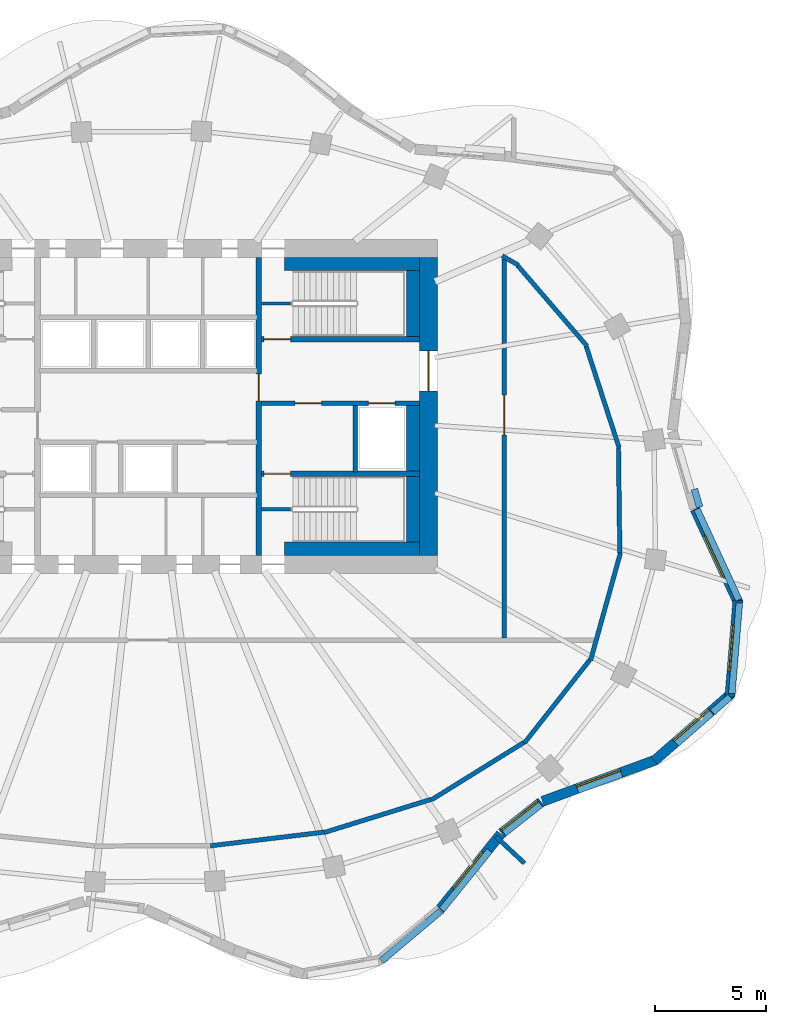
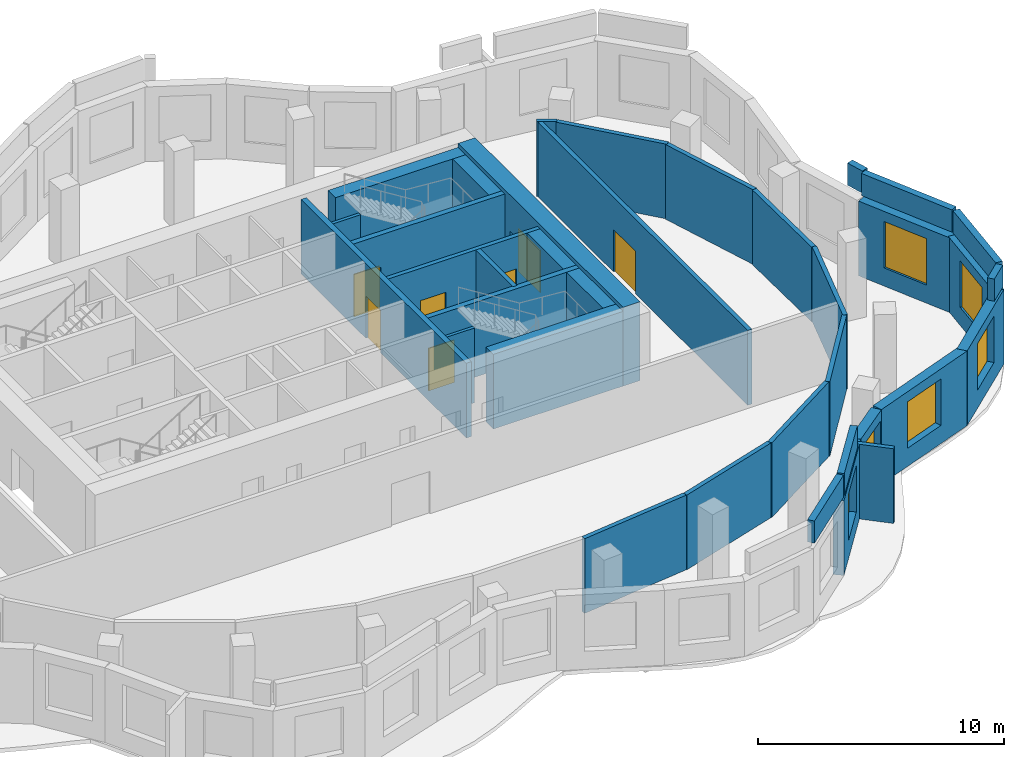
# One storey, part 5 of 8: 36 walls, 7 doors, 6 windows, 13 openings.
"""IFC4 building model written with IfcOpenShell, lengths in metres."""

import ifcopenshell
import ifcopenshell.guid

model = None  # the IFC model being written
_history = None  # IfcOwnerHistory: only IFC2X3 demands one
_inside = {}  # id of a spatial element -> (the spatial element, [elements in it])
_under = {}  # id of a project, library or spatial element -> (it, [spatial elements below it])
_declared = {}  # id of a project -> (the project, [libraries it declares])
_typed = {}  # id of a type object -> (the type object, [elements of that type])
_made_of = {}  # id of a material, layer set ... -> (it, [elements and type objects made of it])


def new_model(schema):
    """Start an empty IFC model of exactly this schema.

    Asked for "IFC4X3", IfcOpenShell would pick the latest addendum, in which some entities
    have other attributes; the version numbers below select the first issue.
    IFC2X3 requires an IfcOwnerHistory on every rooted entity: one is made here for all.
    """
    global model, _history
    if schema == "IFC4X3":
        model = ifcopenshell.file(schema_version=(4, 3, 0, 0))
    else:
        model = ifcopenshell.file(schema=schema)
    _inside.clear()
    _under.clear()
    _declared.clear()
    _typed.clear()
    _made_of.clear()
    _history = None
    if model.schema == "IFC2X3":
        org = make("IfcOrganization", Name="unknown")
        user = make(
            "IfcPersonAndOrganization",
            ThePerson=make("IfcPerson", FamilyName="unknown"),
            TheOrganization=org,
        )
        app = make(
            "IfcApplication",
            ApplicationDeveloper=org,
            Version="unknown",
            ApplicationFullName="unknown",
            ApplicationIdentifier="unknown",
        )
        _history = make(
            "IfcOwnerHistory",
            OwningUser=user,
            OwningApplication=app,
            ChangeAction="ADDED",
            CreationDate=0,
        )
    return model


def make(cls, **values):
    """One entity of the class cls with the attributes given. An attribute that is None is left unset."""
    return model.create_entity(
        cls, **{name: value for name, value in values.items() if value is not None}
    )


def rooted(cls, **values):
    """An entity with a GlobalId (a new one), such as an element, a storey or a relation."""
    return make(cls, GlobalId=ifcopenshell.guid.new(), OwnerHistory=_history, **values)


def si_unit(unit_type, name, prefix=None):
    """IfcSIUnit, for example si_unit("LENGTHUNIT", "METRE", prefix="MILLI")."""
    return make("IfcSIUnit", UnitType=unit_type, Prefix=prefix, Name=name)


def assignment(units):
    """IfcUnitAssignment: the units of a project."""
    return None if units is None else make("IfcUnitAssignment", Units=units)


def point(xyz):
    """IfcCartesianPoint."""
    return None if xyz is None else make("IfcCartesianPoint", Coordinates=xyz)


def direction(xyz):
    """IfcDirection."""
    return None if xyz is None else make("IfcDirection", DirectionRatios=xyz)


def frame(location, z_axis=None, x_axis=None):
    """IfcAxis2Placement3D, a coordinate frame: its origin and axes. An axis left out is left unset."""
    return make(
        "IfcAxis2Placement3D",
        Location=point(location),
        Axis=direction(z_axis),
        RefDirection=direction(x_axis),
    )


def frame_2d(location, x_axis=None):
    """IfcAxis2Placement2D, a coordinate frame in the plane: its origin and x axis."""
    return make(
        "IfcAxis2Placement2D", Location=point(location), RefDirection=direction(x_axis)
    )


def origin():
    """The frame at (0, 0, 0) with its axes left unset."""
    return frame((0.0, 0.0, 0.0))


def place(relative_to, where):
    """IfcLocalPlacement: puts the frame where relative to a parent placement (None: the world)."""
    return make(
        "IfcLocalPlacement", PlacementRelTo=relative_to, RelativePlacement=where
    )


def context(
    kind, dimensions, precision=None, world=None, true_north=None, identifier=None
):
    """IfcGeometricRepresentationContext, for example the 3D "Model" context."""
    return make(
        "IfcGeometricRepresentationContext",
        ContextIdentifier=identifier,
        ContextType=kind,
        CoordinateSpaceDimension=dimensions,
        Precision=precision,
        WorldCoordinateSystem=world,
        TrueNorth=true_north,
    )


def subcontext(parent, identifier, kind, view, scale=None):
    """IfcGeometricRepresentationSubContext, for example "Body" below "Model"."""
    return make(
        "IfcGeometricRepresentationSubContext",
        ContextIdentifier=identifier,
        ContextType=kind,
        ParentContext=parent,
        TargetScale=scale,
        TargetView=view,
    )


def project(units=None, contexts=None):
    """IfcProject with its units and contexts."""
    return rooted(
        "IfcProject",
        Name="project",
        RepresentationContexts=contexts,
        UnitsInContext=assignment(units),
    )


def spatial(cls, under=None, at=None, **own):
    """A site, building, storey or space (cls), placed at a placement, below another one or the project."""
    s = rooted(cls, ObjectPlacement=at, **own)
    if under is not None:
        _under.setdefault(under.id(), (under, []))[1].append(s)
    return s


def profile(cls, at=None, kind="AREA", **sizes):
    """A parametric profile (cls). Its sizes go by their IFC names, for example OverallWidth=200.0."""
    return make(cls, ProfileType=kind, Position=at, **sizes)


def rectangle(**sizes):
    """IfcRectangleProfileDef."""
    return profile("IfcRectangleProfileDef", **sizes)


def extrude(swept, where, along, depth):
    """IfcExtrudedAreaSolid: the profile swept, set in the frame where, extruded along a direction by depth."""
    return make(
        "IfcExtrudedAreaSolid",
        SweptArea=swept,
        Position=where,
        ExtrudedDirection=direction(along),
        Depth=depth,
    )


def shape(context_of_items, identifier, shape_type, items):
    """IfcShapeRepresentation: the items that make up one representation, for example the "Body"."""
    return make(
        "IfcShapeRepresentation",
        ContextOfItems=context_of_items,
        RepresentationIdentifier=identifier,
        RepresentationType=shape_type,
        Items=items,
    )


def material(Name=None, Category=None):
    """IfcMaterial."""
    return make("IfcMaterial", Name=Name, Category=Category)


def layer(
    of_material, thickness, ventilated=None, Name=None, Category=None, Priority=None
):
    """IfcMaterialLayer: one layer of a wall or slab, of a material (None: an air gap)."""
    return make(
        "IfcMaterialLayer",
        Material=of_material,
        LayerThickness=thickness,
        IsVentilated=ventilated,
        Name=Name,
        Category=Category,
        Priority=Priority,
    )


def layer_set(layers, Name=None):
    """IfcMaterialLayerSet."""
    return make("IfcMaterialLayerSet", MaterialLayers=layers, LayerSetName=Name)


def made_of(thing, what):
    """Note that an element or type object is made of a material, layer set ...; save() writes the relation."""
    if what is not None:
        _made_of.setdefault(what.id(), (what, []))[1].append(thing)
    return thing


def type_object(cls, material=None, **own):
    """A type object (cls), such as IfcWallType, which elements share."""
    return made_of(rooted(cls, **own), material)


def element(
    cls,
    number,
    at=None,
    inside=None,
    cuts=None,
    type_object=None,
    material=None,
    context=None,
    identifier="Body",
    shape_type=None,
    held_by="IfcProductDefinitionShape",
    body=None,
    shapes=None,
    **own,
):
    """One element of the class cls, such as IfcWall. Its Tag is "e" and its number.

    at: its placement. inside: the storey or other place that contains it. cuts: it is an
    opening in that element (IfcRelVoidsElement). A single representation is given by context,
    identifier, shape_type and body (its items); several are given by shapes. held_by: the class
    of the entity that holds the representations. save() writes the other relations.
    """
    e = rooted(cls, Tag="e%d" % number, ObjectPlacement=at, **own)
    if body is not None:
        shapes = [shape(context, identifier, shape_type, body)]
    if shapes is not None:
        e.Representation = make(held_by, Representations=shapes)
    if inside is not None:
        _inside.setdefault(inside.id(), (inside, []))[1].append(e)
    if cuts is not None:
        rooted(
            "IfcRelVoidsElement", RelatingBuildingElement=cuts, RelatedOpeningElement=e
        )
    if type_object is not None:
        _typed.setdefault(type_object.id(), (type_object, []))[1].append(e)
    return made_of(e, material)


def fill(opening, filler):
    """IfcRelFillsElement: the door or window that sits in an opening."""
    return rooted(
        "IfcRelFillsElement",
        RelatingOpeningElement=opening,
        RelatedBuildingElement=filler,
    )


def aggregate(whole, parts):
    """IfcRelAggregates: a whole, such as a stair, and the parts it consists of."""
    return rooted("IfcRelAggregates", RelatingObject=whole, RelatedObjects=parts)


def save(model, path):
    """Write the relations noted so far, then the file.

    IfcRelAggregates (storeys below a building ...), IfcRelContainedInSpatialStructure (elements
    in a storey), IfcRelDefinesByType, IfcRelAssociatesMaterial and IfcRelDeclares: one each for
    every whole, place, type object, material and project.
    """
    for whole, parts in _under.values():
        aggregate(whole, parts)
    for where, things in _inside.values():
        rooted(
            "IfcRelContainedInSpatialStructure",
            RelatedElements=things,
            RelatingStructure=where,
        )
    for kind, things in _typed.values():
        rooted("IfcRelDefinesByType", RelatedObjects=things, RelatingType=kind)
    for what, things in _made_of.values():
        rooted("IfcRelAssociatesMaterial", RelatedObjects=things, RelatingMaterial=what)
    for by, libraries in _declared.values():
        rooted("IfcRelDeclares", RelatingContext=by, RelatedDefinitions=libraries)
    model.write(path)


model = new_model("IFC4")

# Units and contexts
model_context = context("Model", 3, precision=1e-05, world=origin(), true_north=direction((0.0, 1.0)))
body_context = subcontext(model_context, "Body", "Model", "MODEL_VIEW")
ifc_project = project(units=[si_unit("LENGTHUNIT", "METRE"), si_unit("AREAUNIT", "SQUARE_METRE"), si_unit("VOLUMEUNIT", "CUBIC_METRE"), si_unit("PLANEANGLEUNIT", "RADIAN"), si_unit("MASSUNIT", "GRAM", prefix="KILO")], contexts=[model_context])

# Site, building, storey
site_placement = place(None, origin())
site = spatial("IfcSite", under=ifc_project, at=site_placement, CompositionType="ELEMENT")
building_placement = place(site_placement, origin())
building = spatial("IfcBuilding", under=site, at=building_placement, Name="Rubra Terraces Tower", CompositionType="ELEMENT")
storey_placement = place(building_placement, frame((0.0, 0.0, 280.5)))
storey = spatial("IfcBuildingStorey", under=building, at=storey_placement, Name="L69", CompositionType="ELEMENT", Elevation=280.5)

# Wall, opening, window
ifc_material_1 = material(Name="Brick masonry red-brown", Category="masonry")
ifc_layer_1 = layer(ifc_material_1, 0.449951171875)
ifc_layer_set_1 = layer_set([ifc_layer_1], Name="Brick masonry red-brown")
wall_type_1 = type_object("IfcWallType", Name="Brick facade wall 450", PredefinedType="SOLIDWALL", material=ifc_layer_set_1)
wall_1_placement = place(storey_placement, frame((13.0849609375, -18.140380859375, 0.0), z_axis=(0.0, 0.0, 1.0), x_axis=(0.628273836344, 0.777992279245, 0.0)))
wall_1 = element("IfcWall", 1, at=wall_1_placement, inside=storey, type_object=wall_type_1, Name="Facade wall L69 bay 35", PredefinedType="SOLIDWALL", context=body_context, shape_type="SweptSolid", body=[
    extrude(rectangle(XDim=4.401123046875, YDim=0.449951171875, at=frame_2d((2.20068359375, 0.0))), origin(), (0.0, 0.0, 1.0), 3.699951171875),
])
opening_1_placement = place(wall_1_placement, frame((1.150634765625, 0.0, 0.89990234375)))
opening_1 = element("IfcOpeningElement", 2, at=opening_1_placement, cuts=wall_1, Name="Opening W1B", PredefinedType="OPENING", context=body_context, shape_type="SweptSolid", body=[
    extrude(rectangle(XDim=2.10009765625, YDim=2.300048828125, at=frame_2d((1.050048828125, 1.14990234375))), frame((0.0, 0.23486328125, 0.0), z_axis=(0.0, -1.0, 0.0), x_axis=(1.0, 0.0, 0.0)), (0.0, 0.0, 1.0), 0.469970703125),
])
ifc_material_2 = material(Name="Clear glass in aluminium frame", Category="aluminium")
window_type = type_object("IfcWindowType", Name="Fixed deep-set window tall storey 2100 x 2300", PartitioningType="SINGLE_PANEL", PredefinedType="WINDOW", material=ifc_material_2)
window_1_placement = place(opening_1_placement, origin())
window_1 = element("IfcWindow", 3, at=window_1_placement, inside=storey, type_object=window_type, Name="Window L69 bay 35", OverallHeight=2.300048828125, OverallWidth=2.10009765625, PartitioningType="SINGLE_PANEL", PredefinedType="WINDOW", context=body_context, shape_type="SweptSolid", body=[
    extrude(rectangle(XDim=2.10009765625, YDim=2.300048828125, at=frame_2d((1.050048828125, 1.14990234375))), frame((0.0, 0.135009765625, 0.0), z_axis=(0.0, -1.0, 0.0), x_axis=(1.0, 0.0, 0.0)), (0.0, 0.0, 1.0), 0.06005859375),
])
fill(opening_1, window_1)

wall_2_placement = place(storey_placement, frame((15.885986328125, -14.680908203125, 0.0), z_axis=(0.0, 0.0, 1.0), x_axis=(0.78545189886, 0.618922704849, 0.0)))
wall_2 = element("IfcWall", 4, at=wall_2_placement, inside=storey, type_object=wall_type_1, Name="Facade wall L69 bay 36", PredefinedType="SOLIDWALL", context=body_context, shape_type="SweptSolid", body=[
    extrude(rectangle(XDim=2.2607421875, YDim=0.449951171875, at=frame_2d((1.13037109375, 0.0))), origin(), (0.0, 0.0, 1.0), 3.699951171875),
])
opening_2_placement = place(wall_2_placement, frame((0.080322265625, 0.0, 0.89990234375)))
opening_2 = element("IfcOpeningElement", 5, at=opening_2_placement, cuts=wall_2, Name="Opening W1B", PredefinedType="OPENING", context=body_context, shape_type="SweptSolid", body=[
    extrude(rectangle(XDim=2.10009765625, YDim=2.300048828125, at=frame_2d((1.050048828125, 1.14990234375))), frame((0.0, 0.23486328125, 0.0), z_axis=(0.0, -1.0, 0.0), x_axis=(1.0, 0.0, 0.0)), (0.0, 0.0, 1.0), 0.469970703125),
])
window_2_placement = place(opening_2_placement, origin())
window_2 = element("IfcWindow", 6, at=window_2_placement, inside=storey, type_object=window_type, Name="Window L69 bay 36", OverallHeight=2.300048828125, OverallWidth=2.10009765625, PartitioningType="SINGLE_PANEL", PredefinedType="WINDOW", context=body_context, shape_type="SweptSolid", body=[
    extrude(rectangle(XDim=2.10009765625, YDim=2.300048828125, at=frame_2d((1.050048828125, 1.14990234375))), frame((0.0, 0.135009765625, 0.0), z_axis=(0.0, -1.0, 0.0), x_axis=(1.0, 0.0, 0.0)), (0.0, 0.0, 1.0), 0.06005859375),
])
fill(opening_2, window_2)

wall_3_placement = place(storey_placement, frame((17.7236328125, -13.247314453125, 0.0), z_axis=(0.0, 0.0, 1.0), x_axis=(0.939241771593, 0.343256310203, 0.0)))
wall_3 = element("IfcWall", 7, at=wall_3_placement, inside=storey, type_object=wall_type_1, Name="Facade wall L69 bay 37", PredefinedType="SOLIDWALL", context=body_context, shape_type="SweptSolid", body=[
    extrude(rectangle(XDim=5.426025390625, YDim=0.449951171875, at=frame_2d((2.712890625, 0.0))), origin(), (0.0, 0.0, 1.0), 3.699951171875),
])
opening_3_placement = place(wall_3_placement, frame((1.6630859375, 0.0, 0.89990234375)))
opening_3 = element("IfcOpeningElement", 8, at=opening_3_placement, cuts=wall_3, Name="Opening W1B", PredefinedType="OPENING", context=body_context, shape_type="SweptSolid", body=[
    extrude(rectangle(XDim=2.10009765625, YDim=2.300048828125, at=frame_2d((1.050048828125, 1.14990234375))), frame((0.0, 0.23486328125, 0.0), z_axis=(0.0, -1.0, 0.0), x_axis=(1.0, 0.0, 0.0)), (0.0, 0.0, 1.0), 0.469970703125),
])
window_3_placement = place(opening_3_placement, origin())
window_3 = element("IfcWindow", 9, at=window_3_placement, inside=storey, type_object=window_type, Name="Window L69 bay 37", OverallHeight=2.300048828125, OverallWidth=2.10009765625, PartitioningType="SINGLE_PANEL", PredefinedType="WINDOW", context=body_context, shape_type="SweptSolid", body=[
    extrude(rectangle(XDim=2.10009765625, YDim=2.300048828125, at=frame_2d((1.050048828125, 1.14990234375))), frame((0.0, 0.135009765625, 0.0), z_axis=(0.0, -1.0, 0.0), x_axis=(1.0, 0.0, 0.0)), (0.0, 0.0, 1.0), 0.06005859375),
])
fill(opening_3, window_3)

wall_4_placement = place(storey_placement, frame((22.74951171875, -11.4267578125, 0.0), z_axis=(0.0, 0.0, 1.0), x_axis=(0.753367370231, 0.657599882506, 0.0)))
wall_4 = element("IfcWall", 10, at=wall_4_placement, inside=storey, type_object=wall_type_1, Name="Facade wall L69 bay 38", PredefinedType="SOLIDWALL", context=body_context, shape_type="SweptSolid", body=[
    extrude(rectangle(XDim=4.606689453125, YDim=0.449951171875, at=frame_2d((2.30322265625, 0.0))), origin(), (0.0, 0.0, 1.0), 3.699951171875),
])
opening_4_placement = place(wall_4_placement, frame((1.25341796875, 0.0, 0.89990234375)))
opening_4 = element("IfcOpeningElement", 11, at=opening_4_placement, cuts=wall_4, Name="Opening W1B", PredefinedType="OPENING", context=body_context, shape_type="SweptSolid", body=[
    extrude(rectangle(XDim=2.10009765625, YDim=2.300048828125, at=frame_2d((1.050048828125, 1.14990234375))), frame((0.0, 0.23486328125, 0.0), z_axis=(0.0, -1.0, 0.0), x_axis=(1.0, 0.0, 0.0)), (0.0, 0.0, 1.0), 0.469970703125),
])
window_4_placement = place(opening_4_placement, origin())
window_4 = element("IfcWindow", 12, at=window_4_placement, inside=storey, type_object=window_type, Name="Window L69 bay 38", OverallHeight=2.300048828125, OverallWidth=2.10009765625, PartitioningType="SINGLE_PANEL", PredefinedType="WINDOW", context=body_context, shape_type="SweptSolid", body=[
    extrude(rectangle(XDim=2.10009765625, YDim=2.300048828125, at=frame_2d((1.050048828125, 1.14990234375))), frame((0.0, 0.135009765625, 0.0), z_axis=(0.0, -1.0, 0.0), x_axis=(1.0, 0.0, 0.0)), (0.0, 0.0, 1.0), 0.06005859375),
])
fill(opening_4, window_4)

wall_5_placement = place(storey_placement, frame((26.143798828125, -8.54833984375, 0.0), z_axis=(0.0, 0.0, 1.0), x_axis=(0.083268523648, 0.996527146128, 0.0)))
wall_5 = element("IfcWall", 13, at=wall_5_placement, inside=storey, type_object=wall_type_1, Name="Facade wall L69 bay 39", PredefinedType="SOLIDWALL", context=body_context, shape_type="SweptSolid", body=[
    extrude(rectangle(XDim=4.34814453125, YDim=0.449951171875, at=frame_2d((2.174072265625, 0.0))), origin(), (0.0, 0.0, 1.0), 3.699951171875),
])
opening_5_placement = place(wall_5_placement, frame((1.1240234375, 0.0, 0.89990234375)))
opening_5 = element("IfcOpeningElement", 14, at=opening_5_placement, cuts=wall_5, Name="Opening W1B", PredefinedType="OPENING", context=body_context, shape_type="SweptSolid", body=[
    extrude(rectangle(XDim=2.10009765625, YDim=2.300048828125, at=frame_2d((1.050048828125, 1.14990234375))), frame((0.0, 0.23486328125, 0.0), z_axis=(0.0, -1.0, 0.0), x_axis=(1.0, 0.0, 0.0)), (0.0, 0.0, 1.0), 0.469970703125),
])
window_5_placement = place(opening_5_placement, origin())
window_5 = element("IfcWindow", 15, at=window_5_placement, inside=storey, type_object=window_type, Name="Window L69 bay 39", OverallHeight=2.300048828125, OverallWidth=2.10009765625, PartitioningType="SINGLE_PANEL", PredefinedType="WINDOW", context=body_context, shape_type="SweptSolid", body=[
    extrude(rectangle(XDim=2.10009765625, YDim=2.300048828125, at=frame_2d((1.050048828125, 1.14990234375))), frame((0.0, 0.135009765625, 0.0), z_axis=(0.0, -1.0, 0.0), x_axis=(1.0, 0.0, 0.0)), (0.0, 0.0, 1.0), 0.06005859375),
])
fill(opening_5, window_5)

wall_6_placement = place(storey_placement, frame((26.523681640625, -4.323974609375, 0.0), z_axis=(0.0, 0.0, 1.0), x_axis=(-0.419579037504, 0.907718806287, 0.0)))
wall_6 = element("IfcWall", 16, at=wall_6_placement, inside=storey, type_object=wall_type_1, Name="Facade wall L69 bay 40", PredefinedType="SOLIDWALL", context=body_context, shape_type="SweptSolid", body=[
    extrude(rectangle(XDim=4.63623046875, YDim=0.449951171875, at=frame_2d((2.318115234375, 0.0))), origin(), (0.0, 0.0, 1.0), 3.699951171875),
])
opening_6_placement = place(wall_6_placement, frame((1.26806640625, 0.0, 0.89990234375)))
opening_6 = element("IfcOpeningElement", 17, at=opening_6_placement, cuts=wall_6, Name="Opening W1B", PredefinedType="OPENING", context=body_context, shape_type="SweptSolid", body=[
    extrude(rectangle(XDim=2.10009765625, YDim=2.300048828125, at=frame_2d((1.050048828125, 1.14990234375))), frame((0.0, 0.23486328125, 0.0), z_axis=(0.0, -1.0, 0.0), x_axis=(1.0, 0.0, 0.0)), (0.0, 0.0, 1.0), 0.469970703125),
])
window_6_placement = place(opening_6_placement, origin())
window_6 = element("IfcWindow", 18, at=window_6_placement, inside=storey, type_object=window_type, Name="Window L69 bay 40", OverallHeight=2.300048828125, OverallWidth=2.10009765625, PartitioningType="SINGLE_PANEL", PredefinedType="WINDOW", context=body_context, shape_type="SweptSolid", body=[
    extrude(rectangle(XDim=2.10009765625, YDim=2.300048828125, at=frame_2d((1.050048828125, 1.14990234375))), frame((0.0, 0.135009765625, 0.0), z_axis=(0.0, -1.0, 0.0), x_axis=(1.0, 0.0, 0.0)), (0.0, 0.0, 1.0), 0.06005859375),
])
fill(opening_6, window_6)

# Walls
ifc_layer_2 = layer(ifc_material_1, 0.300048828125)
ifc_layer_set_2 = layer_set([ifc_layer_2], Name="Brick masonry red-brown")
wall_type_2 = type_object("IfcWallType", Name="Brick parapet 300", PredefinedType="PARAPET", material=ifc_layer_set_2)
wall_7_placement = place(storey_placement, frame((24.78466796875, -0.025634765625, 3.89990234375), z_axis=(0.0, 0.0, 1.0), x_axis=(-0.279261128564, 0.96021519571, 0.0)))
element("IfcWall", 19, at=wall_7_placement, inside=storey, type_object=wall_type_2, Name="Parapet L69 bay 1", PredefinedType="PARAPET", context=body_context, shape_type="SweptSolid", body=[
    extrude(rectangle(XDim=0.83740234375, YDim=0.300048828125, at=frame_2d((0.418701171875, 0.0))), origin(), (0.0, 0.0, 1.0), 1.10009765625),
])
wall_8_placement = place(storey_placement, frame((10.486083984375, -20.4169921875, 3.89990234375), z_axis=(0.0, 0.0, 1.0), x_axis=(0.765557356731, 0.64336765038, 0.0)))
element("IfcWall", 20, at=wall_8_placement, inside=storey, type_object=wall_type_2, Name="Parapet L69 bay 34", PredefinedType="PARAPET", context=body_context, shape_type="SweptSolid", body=[
    extrude(rectangle(XDim=3.45654296875, YDim=0.300048828125, at=frame_2d((1.728271484375, 0.0))), origin(), (0.0, 0.0, 1.0), 1.10009765625),
])
wall_9_placement = place(storey_placement, frame((13.1943359375, -18.1298828125, 3.89990234375), z_axis=(0.0, 0.0, 1.0), x_axis=(0.628264043073, 0.778000187777, 0.0)))
element("IfcWall", 21, at=wall_9_placement, inside=storey, type_object=wall_type_2, Name="Parapet L69 bay 35", PredefinedType="PARAPET", context=body_context, shape_type="SweptSolid", body=[
    extrude(rectangle(XDim=3.42236328125, YDim=0.300048828125, at=frame_2d((1.711181640625, 0.0))), origin(), (0.0, 0.0, 1.0), 1.10009765625),
])
wall_10_placement = place(storey_placement, frame((25.3623046875, -9.24560546875, 3.89990234375), z_axis=(0.0, 0.0, 1.0), x_axis=(0.753495699064, 0.657452835945, 0.0)))
element("IfcWall", 22, at=wall_10_placement, inside=storey, type_object=wall_type_2, Name="Parapet L69 bay 38", PredefinedType="PARAPET", context=body_context, shape_type="SweptSolid", body=[
    extrude(rectangle(XDim=1.052490234375, YDim=0.300048828125, at=frame_2d((0.5263671875, 0.0))), origin(), (0.0, 0.0, 1.0), 1.10009765625),
])
wall_11_placement = place(storey_placement, frame((26.231201171875, -8.403564453125, 3.89990234375), z_axis=(0.0, 0.0, 1.0), x_axis=(0.083203659887, 0.996532563934, 0.0)))
element("IfcWall", 23, at=wall_11_placement, inside=storey, type_object=wall_type_2, Name="Parapet L69 bay 39", PredefinedType="PARAPET", context=body_context, shape_type="SweptSolid", body=[
    extrude(rectangle(XDim=4.08740234375, YDim=0.300048828125, at=frame_2d((2.043701171875, 0.0))), origin(), (0.0, 0.0, 1.0), 1.10009765625),
])
wall_12_placement = place(storey_placement, frame((26.548095703125, -4.19775390625, 3.89990234375), z_axis=(0.0, 0.0, 1.0), x_axis=(-0.419598608408, 0.907709759682, 0.0)))
element("IfcWall", 24, at=wall_12_placement, inside=storey, type_object=wall_type_2, Name="Parapet L69 bay 40", PredefinedType="PARAPET", context=body_context, shape_type="SweptSolid", body=[
    extrude(rectangle(XDim=4.4970703125, YDim=0.300048828125, at=frame_2d((2.24853515625, 0.0))), origin(), (0.0, 0.0, 1.0), 1.10009765625),
])
ifc_layer_3 = layer(ifc_material_1, 0.199951171875)
ifc_layer_set_3 = layer_set([ifc_layer_3], Name="Brick masonry red-brown")
wall_type_3 = type_object("IfcWallType", Name="Brick wind fin 200", PredefinedType="SOLIDWALL", material=ifc_layer_set_3)
wall_13_placement = place(storey_placement, frame((15.632080078125, -14.837890625, 0.0), z_axis=(0.0, 0.0, 1.0), x_axis=(0.73177399504, -0.681547371929, 0.0)))
element("IfcWall", 25, at=wall_13_placement, inside=storey, type_object=wall_type_3, Name="Wind fin L69 18", PredefinedType="SOLIDWALL", context=body_context, shape_type="SweptSolid", body=[
    extrude(rectangle(XDim=1.75, YDim=0.199951171875, at=frame_2d((0.875, 0.0))), origin(), (0.0, 0.0, 1.0), 3.699951171875),
])

# Wall, opening, door
ifc_material_3 = material(Name="Concrete C50", Category="concrete")
ifc_layer_4 = layer(ifc_material_3, 0.800048828125)
ifc_layer_set_4 = layer_set([ifc_layer_4], Name="Concrete C50")
wall_type_4 = type_object("IfcWallType", Name="CORE WALL 800 C50", PredefinedType="SHEAR", material=ifc_layer_set_4)
wall_14_placement = place(storey_placement, frame((12.60009765625, -2.199951171875, 0.0), z_axis=(0.0, 0.0, 1.0), x_axis=(0.0, 1.0, 0.0)))
wall_14 = element("IfcWall", 26, at=wall_14_placement, inside=storey, type_object=wall_type_4, Name="CORE WALL E L69", PredefinedType="SHEAR", context=body_context, shape_type="SweptSolid", body=[
    extrude(rectangle(XDim=13.39990234375, YDim=0.800048828125, at=frame_2d((6.699951171875, 0.0))), origin(), (0.0, 0.0, 1.0), 3.89990234375),
])
opening_7_placement = place(wall_14_placement, frame((7.39990234375, 0.0, 0.0)))
opening_7 = element("IfcOpeningElement", 27, at=opening_7_placement, cuts=wall_14, Name="Opening L69.C02", PredefinedType="OPENING", context=body_context, shape_type="SweptSolid", body=[
    extrude(rectangle(XDim=1.800048828125, YDim=2.10009765625, at=frame_2d((0.89990234375, 1.050048828125))), frame((0.0, 0.409912109375, 0.0), z_axis=(0.0, -1.0, 0.0), x_axis=(1.0, 0.0, 0.0)), (0.0, 0.0, 1.0), 0.820068359375),
])
ifc_material_4 = material(Name="Painted steel", Category="steel")
door_type_1 = type_object("IfcDoorType", Name="Fire door 1800x2100 double", OperationType="NOTDEFINED", PredefinedType="DOOR", material=ifc_material_4)
door_1_placement = place(opening_7_placement, origin())
door_1 = element("IfcDoor", 28, at=door_1_placement, inside=storey, type_object=door_type_1, Name="Core entrance door FF2", OperationType="DOUBLE_DOOR_SINGLE_SWING", OverallHeight=2.10009765625, OverallWidth=1.800048828125, PredefinedType="DOOR", context=body_context, shape_type="SweptSolid", body=[
    extrude(rectangle(XDim=1.800048828125, YDim=2.10009765625, at=frame_2d((0.89990234375, 1.050048828125))), frame((0.0, 0.02490234375, 0.0), z_axis=(0.0, -1.0, 0.0), x_axis=(1.0, 0.0, 0.0)), (0.0, 0.0, 1.0), 0.050048828125),
])
fill(opening_7, door_1)

# Walls
ifc_material_5 = material(Name="Concrete C40", Category="concrete")
ifc_layer_5 = layer(ifc_material_5, 0.60009765625)
ifc_layer_set_5 = layer_set([ifc_layer_5], Name="Concrete C40")
wall_type_5 = type_object("IfcWallType", Name="Core lining wall 600 concrete", PredefinedType="SOLIDWALL", material=ifc_layer_set_5)
wall_15_placement = place(storey_placement, frame((12.199951171875, 10.89990234375, 0.0), z_axis=(0.0, 0.0, 1.0), x_axis=(-1.0, 0.0, 0.0)))
element("IfcWall", 29, at=wall_15_placement, inside=storey, type_object=wall_type_5, Name="CORE LINING WALL L69", PredefinedType="SOLIDWALL", context=body_context, shape_type="SweptSolid", body=[
    extrude(rectangle(XDim=6.079833984375, YDim=0.60009765625, at=frame_2d((3.0400390625, 0.0))), origin(), (0.0, 0.0, 1.0), 3.699951171875),
])
wall_16_placement = place(storey_placement, frame((11.89990234375, 10.60009765625, 0.0), z_axis=(0.0, 0.0, 1.0), x_axis=(0.0, -1.0, 0.0)))
element("IfcWall", 30, at=wall_16_placement, inside=storey, type_object=wall_type_5, Name="CORE LINING WALL L69", PredefinedType="SOLIDWALL", context=body_context, shape_type="SweptSolid", body=[
    extrude(rectangle(XDim=2.9501953125, YDim=0.60009765625, at=frame_2d((1.47509765625, 0.0))), origin(), (0.0, 0.0, 1.0), 3.699951171875),
])
wall_17_placement = place(storey_placement, frame((11.89990234375, 4.550048828125, 0.0), z_axis=(0.0, 0.0, 1.0), x_axis=(0.0, -1.0, 0.0)))
element("IfcWall", 31, at=wall_17_placement, inside=storey, type_object=wall_type_5, Name="CORE LINING WALL L69", PredefinedType="SOLIDWALL", context=body_context, shape_type="SweptSolid", body=[
    extrude(rectangle(XDim=3.0, YDim=0.60009765625, at=frame_2d((1.5, 0.0))), origin(), (0.0, 0.0, 1.0), 3.699951171875),
])
wall_18_placement = place(storey_placement, frame((11.89990234375, 1.35009765625, 0.0), z_axis=(0.0, 0.0, 1.0), x_axis=(0.0, -1.0, 0.0)))
element("IfcWall", 32, at=wall_18_placement, inside=storey, type_object=wall_type_5, Name="CORE LINING WALL L69", PredefinedType="SOLIDWALL", context=body_context, shape_type="SweptSolid", body=[
    extrude(rectangle(XDim=2.9501953125, YDim=0.60009765625, at=frame_2d((1.47509765625, 0.0))), origin(), (0.0, 0.0, 1.0), 3.699951171875),
])
wall_19_placement = place(storey_placement, frame((12.199951171875, -1.89990234375, 0.0), z_axis=(0.0, 0.0, 1.0), x_axis=(-1.0, 0.0, 0.0)))
element("IfcWall", 33, at=wall_19_placement, inside=storey, type_object=wall_type_5, Name="CORE LINING WALL L69", PredefinedType="SOLIDWALL", context=body_context, shape_type="SweptSolid", body=[
    extrude(rectangle(XDim=6.079833984375, YDim=0.60009765625, at=frame_2d((3.0400390625, 0.0))), origin(), (0.0, 0.0, 1.0), 3.699951171875),
])

# Wall, openings, doors
ifc_material_6 = material(Name="Concrete C30", Category="concrete")
ifc_layer_6 = layer(ifc_material_6, 0.199951171875)
ifc_layer_set_6 = layer_set([ifc_layer_6], Name="Concrete C30")
wall_type_6 = type_object("IfcWallType", Name="Core wall 200 concrete", PredefinedType="SOLIDWALL", material=ifc_layer_set_6)
wall_20_placement = place(storey_placement, frame((12.199951171875, 4.64990234375, 0.0), z_axis=(0.0, 0.0, 1.0), x_axis=(-1.0, 0.0, 0.0)))
wall_20 = element("IfcWall", 34, at=wall_20_placement, inside=storey, type_object=wall_type_6, Name="STAIR WALL L69", PredefinedType="SOLIDWALL", context=body_context, shape_type="SweptSolid", body=[
    extrude(rectangle(XDim=7.099853515625, YDim=0.199951171875, at=frame_2d((3.5498046875, 0.0))), origin(), (0.0, 0.0, 1.0), 3.699951171875),
])
opening_8_placement = place(wall_20_placement, frame((4.39990234375, 0.0, 0.0)))
opening_8 = element("IfcOpeningElement", 35, at=opening_8_placement, cuts=wall_20, Name="Opening L69.C06", PredefinedType="OPENING", context=body_context, shape_type="SweptSolid", body=[
    extrude(rectangle(XDim=1.199951171875, YDim=2.10009765625, at=frame_2d((0.60009765625, 1.050048828125))), frame((0.0, 0.10986328125, 0.0), z_axis=(0.0, -1.0, 0.0), x_axis=(1.0, 0.0, 0.0)), (0.0, 0.0, 1.0), 0.219970703125),
])
opening_9_placement = place(wall_20_placement, frame((1.10009765625, 0.0, 0.0)))
opening_9 = element("IfcOpeningElement", 36, at=opening_9_placement, cuts=wall_20, Name="Opening L69.C12", PredefinedType="OPENING", context=body_context, shape_type="SweptSolid", body=[
    extrude(rectangle(XDim=1.199951171875, YDim=2.10009765625, at=frame_2d((0.60009765625, 1.050048828125))), frame((0.0, 0.10986328125, 0.0), z_axis=(0.0, -1.0, 0.0), x_axis=(1.0, 0.0, 0.0)), (0.0, 0.0, 1.0), 0.219970703125),
])
door_type_2 = type_object("IfcDoorType", Name="Fire door 1200x2100 single", OperationType="NOTDEFINED", PredefinedType="DOOR", material=ifc_material_4)
door_2_placement = place(opening_8_placement, origin())
door_2 = element("IfcDoor", 37, at=door_2_placement, inside=storey, type_object=door_type_2, Name="Stair vestibule door S4", OperationType="SINGLE_SWING_RIGHT", OverallHeight=2.10009765625, OverallWidth=1.199951171875, PredefinedType="DOOR", context=body_context, shape_type="SweptSolid", body=[
    extrude(rectangle(XDim=1.199951171875, YDim=2.10009765625, at=frame_2d((0.60009765625, 1.050048828125))), frame((0.0, 0.02490234375, 0.0), z_axis=(0.0, -1.0, 0.0), x_axis=(1.0, 0.0, 0.0)), (0.0, 0.0, 1.0), 0.050048828125),
])
fill(opening_8, door_2)
ifc_material_7 = material(Name="Stainless steel", Category="steel")
door_type_3 = type_object("IfcDoorType", Name="Lift landing door 1200x2100", OperationType="NOTDEFINED", PredefinedType="DOOR", material=ifc_material_7)
door_3_placement = place(opening_9_placement, origin())
door_3 = element("IfcDoor", 38, at=door_3_placement, inside=storey, type_object=door_type_3, Name="Landing door FF2", OperationType="SLIDING_TO_RIGHT", OverallHeight=2.10009765625, OverallWidth=1.199951171875, PredefinedType="DOOR", context=body_context, shape_type="SweptSolid", body=[
    extrude(rectangle(XDim=1.199951171875, YDim=2.10009765625, at=frame_2d((0.60009765625, 1.050048828125))), frame((0.0, 0.02490234375, 0.0), z_axis=(0.0, -1.0, 0.0), x_axis=(1.0, 0.0, 0.0)), (0.0, 0.0, 1.0), 0.050048828125),
])
fill(opening_9, door_3)

# Walls
wall_21_placement = place(storey_placement, frame((9.300048828125, 4.550048828125, 0.0), z_axis=(0.0, 0.0, 1.0), x_axis=(0.0, -1.0, 0.0)))
element("IfcWall", 39, at=wall_21_placement, inside=storey, type_object=wall_type_6, Name="STAIR WALL L69", PredefinedType="SOLIDWALL", context=body_context, shape_type="SweptSolid", body=[
    extrude(rectangle(XDim=3.0, YDim=0.199951171875, at=frame_2d((1.5, 0.0))), origin(), (0.0, 0.0, 1.0), 3.699951171875),
])
ifc_material_8 = material(Name="Blockwork", Category="masonry")
ifc_layer_7 = layer(ifc_material_8, 0.199951171875)
ifc_layer_set_7 = layer_set([ifc_layer_7], Name="Blockwork")
wall_type_7 = type_object("IfcWallType", Name="Corridor partition 200 blockwork", PredefinedType="PARTITIONING", material=ifc_layer_set_7)
wall_22_placement = place(storey_placement, frame((21.22607421875, -2.0849609375, 0.0), z_axis=(0.0, 0.0, 1.0), x_axis=(-0.267859993319, -0.963457847536, 0.0)))
element("IfcWall", 40, at=wall_22_placement, inside=storey, type_object=wall_type_7, Name="Partition wall", PredefinedType="PARTITIONING", context=body_context, shape_type="SweptSolid", body=[
    extrude(rectangle(XDim=5.01025390625, YDim=0.199951171875, at=frame_2d((2.505126953125, 0.0))), origin(), (0.0, 0.0, 1.0), 3.699951171875),
])
wall_23_placement = place(storey_placement, frame((19.84912109375, -6.89501953125, 0.0), z_axis=(0.0, 0.0, 1.0), x_axis=(-0.618811760178, -0.785539308669, 0.0)))
element("IfcWall", 41, at=wall_23_placement, inside=storey, type_object=wall_type_7, Name="Partition wall", PredefinedType="PARTITIONING", context=body_context, shape_type="SweptSolid", body=[
    extrude(rectangle(XDim=4.756103515625, YDim=0.199951171875, at=frame_2d((2.3779296875, 0.0))), origin(), (0.0, 0.0, 1.0), 3.699951171875),
])
wall_24_placement = place(storey_placement, frame((16.883056640625, -10.60498046875, 0.0), z_axis=(0.0, 0.0, 1.0), x_axis=(-0.849608511022, -0.527413858368, 0.0)))
element("IfcWall", 42, at=wall_24_placement, inside=storey, type_object=wall_type_7, Name="Partition wall", PredefinedType="PARTITIONING", context=body_context, shape_type="SweptSolid", body=[
    extrude(rectangle(XDim=4.885986328125, YDim=0.199951171875, at=frame_2d((2.44287109375, 0.0))), origin(), (0.0, 0.0, 1.0), 3.699951171875),
])
wall_25_placement = place(storey_placement, frame((12.720947265625, -13.158935546875, 0.0), z_axis=(0.0, 0.0, 1.0), x_axis=(-0.955038559717, -0.296481617396, 0.0)))
element("IfcWall", 43, at=wall_25_placement, inside=storey, type_object=wall_type_7, Name="Partition wall", PredefinedType="PARTITIONING", context=body_context, shape_type="SweptSolid", body=[
    extrude(rectangle(XDim=5.0322265625, YDim=0.199951171875, at=frame_2d((2.51611328125, 0.0))), origin(), (0.0, 0.0, 1.0), 3.699951171875),
])
wall_26_placement = place(storey_placement, frame((7.912109375, -14.633056640625, 0.0), z_axis=(0.0, 0.0, 1.0), x_axis=(-0.992841344803, -0.119440629808, 0.0)))
element("IfcWall", 44, at=wall_26_placement, inside=storey, type_object=wall_type_7, Name="Partition wall", PredefinedType="PARTITIONING", context=body_context, shape_type="SweptSolid", body=[
    extrude(rectangle(XDim=5.14892578125, YDim=0.199951171875, at=frame_2d((2.574462890625, 0.0))), origin(), (0.0, 0.0, 1.0), 3.699951171875),
])
wall_27_placement = place(storey_placement, frame((15.9130859375, 11.26708984375, 0.0), z_axis=(0.0, 0.0, 1.0), x_axis=(0.866219676164, -0.4996633593, 0.0)))
element("IfcWall", 45, at=wall_27_placement, inside=storey, type_object=wall_type_7, Name="Partition wall", PredefinedType="PARTITIONING", context=body_context, shape_type="SweptSolid", body=[
    extrude(rectangle(XDim=0.83447265625, YDim=0.199951171875, at=frame_2d((0.417236328125, 0.0))), origin(), (0.0, 0.0, 1.0), 3.699951171875),
])
wall_28_placement = place(storey_placement, frame((16.614013671875, 10.823974609375, 0.0), z_axis=(0.0, 0.0, 1.0), x_axis=(0.652570543166, -0.757727976382, 0.0)))
element("IfcWall", 46, at=wall_28_placement, inside=storey, type_object=wall_type_7, Name="Partition wall", PredefinedType="PARTITIONING", context=body_context, shape_type="SweptSolid", body=[
    extrude(rectangle(XDim=4.76416015625, YDim=0.199951171875, at=frame_2d((2.382080078125, 0.0))), origin(), (0.0, 0.0, 1.0), 3.699951171875),
])
wall_29_placement = place(storey_placement, frame((19.68896484375, 7.195068359375, 0.0), z_axis=(0.0, 0.0, 1.0), x_axis=(0.308517152125, -0.951218779695, 0.0)))
element("IfcWall", 47, at=wall_29_placement, inside=storey, type_object=wall_type_7, Name="Partition wall", PredefinedType="PARTITIONING", context=body_context, shape_type="SweptSolid", body=[
    extrude(rectangle(XDim=4.7939453125, YDim=0.199951171875, at=frame_2d((2.39697265625, 0.0))), origin(), (0.0, 0.0, 1.0), 3.699951171875),
])
wall_30_placement = place(storey_placement, frame((21.137939453125, 2.6298828125, 0.0), z_axis=(0.0, 0.0, 1.0), x_axis=(0.012747720312, -0.999918744512, 0.0)))
element("IfcWall", 48, at=wall_30_placement, inside=storey, type_object=wall_type_7, Name="Partition wall", PredefinedType="PARTITIONING", context=body_context, shape_type="SweptSolid", body=[
    extrude(rectangle(XDim=4.71142578125, YDim=0.199951171875, at=frame_2d((2.355712890625, 0.0))), origin(), (0.0, 0.0, 1.0), 3.699951171875),
])

# Wall, opening, door
wall_31_placement = place(storey_placement, frame((16.0, -5.89990234375, 0.0), z_axis=(0.0, 0.0, 1.0), x_axis=(0.0, 1.0, 0.0)))
wall_31 = element("IfcWall", 49, at=wall_31_placement, inside=storey, type_object=wall_type_7, Name="Partition wall", PredefinedType="PARTITIONING", context=body_context, shape_type="SweptSolid", body=[
    extrude(rectangle(XDim=17.016845703125, YDim=0.199951171875, at=frame_2d((8.50830078125, 0.0))), origin(), (0.0, 0.0, 1.0), 3.699951171875),
])
opening_10_placement = place(wall_31_placement, frame((9.10791015625, 0.0, 0.0)))
opening_10 = element("IfcOpeningElement", 50, at=opening_10_placement, cuts=wall_31, Name="Opening DB3", PredefinedType="OPENING", context=body_context, shape_type="SweptSolid", body=[
    extrude(rectangle(XDim=1.800048828125, YDim=2.10009765625, at=frame_2d((0.89990234375, 1.050048828125))), frame((0.0, 0.10986328125, 0.0), z_axis=(0.0, -1.0, 0.0), x_axis=(1.0, 0.0, 0.0)), (0.0, 0.0, 1.0), 0.219970703125),
])
door_type_4 = type_object("IfcDoorType", Name="Door 1800x2100 double", OperationType="NOTDEFINED", PredefinedType="DOOR", material=ifc_material_4)
door_4_placement = place(opening_10_placement, origin())
door_4 = element("IfcDoor", 51, at=door_4_placement, inside=storey, type_object=door_type_4, Name="Refuge area door L69-03", OperationType="DOUBLE_DOOR_SINGLE_SWING", OverallHeight=2.10009765625, OverallWidth=1.800048828125, PredefinedType="DOOR", context=body_context, shape_type="SweptSolid", body=[
    extrude(rectangle(XDim=1.800048828125, YDim=2.10009765625, at=frame_2d((0.89990234375, 1.050048828125))), frame((0.0, 0.02490234375, 0.0), z_axis=(0.0, -1.0, 0.0), x_axis=(1.0, 0.0, 0.0)), (0.0, 0.0, 1.0), 0.050048828125),
])
fill(opening_10, door_4)

ifc_layer_8 = layer(ifc_material_5, 0.25)
ifc_layer_set_8 = layer_set([ifc_layer_8], Name="Concrete C40")
wall_type_8 = type_object("IfcWallType", Name="Stair enclosure wall 250 concrete", PredefinedType="SOLIDWALL", material=ifc_layer_set_8)
wall_32_placement = place(storey_placement, frame((12.199951171875, 7.52490234375, 0.0), z_axis=(0.0, 0.0, 1.0), x_axis=(-1.0, 0.0, 0.0)))
wall_32 = element("IfcWall", 52, at=wall_32_placement, inside=storey, type_object=wall_type_8, Name="STAIR WALL L69", PredefinedType="SOLIDWALL", context=body_context, shape_type="SweptSolid", body=[
    extrude(rectangle(XDim=7.099853515625, YDim=0.25, at=frame_2d((3.5498046875, 0.0))), origin(), (0.0, 0.0, 1.0), 3.699951171875),
])
opening_11_placement = place(wall_32_placement, frame((5.800048828125, 0.0, 0.0)))
opening_11 = element("IfcOpeningElement", 53, at=opening_11_placement, cuts=wall_32, Name="Opening L69.C08", PredefinedType="OPENING", context=body_context, shape_type="SweptSolid", body=[
    extrude(rectangle(XDim=1.199951171875, YDim=2.10009765625, at=frame_2d((0.60009765625, 1.050048828125))), frame((0.0, 0.135009765625, 0.0), z_axis=(0.0, -1.0, 0.0), x_axis=(1.0, 0.0, 0.0)), (0.0, 0.0, 1.0), 0.27001953125),
])
door_5_placement = place(opening_11_placement, origin())
door_5 = element("IfcDoor", 54, at=door_5_placement, inside=storey, type_object=door_type_2, Name="Stair door S3", OperationType="SINGLE_SWING_RIGHT", OverallHeight=2.10009765625, OverallWidth=1.199951171875, PredefinedType="DOOR", context=body_context, shape_type="SweptSolid", body=[
    extrude(rectangle(XDim=1.199951171875, YDim=2.10009765625, at=frame_2d((0.60009765625, 1.050048828125))), frame((0.0, 0.02490234375, 0.0), z_axis=(0.0, -1.0, 0.0), x_axis=(1.0, 0.0, 0.0)), (0.0, 0.0, 1.0), 0.050048828125),
])
fill(opening_11, door_5)

wall_33_placement = place(storey_placement, frame((12.199951171875, 1.47509765625, 0.0), z_axis=(0.0, 0.0, 1.0), x_axis=(-1.0, 0.0, 0.0)))
wall_33 = element("IfcWall", 55, at=wall_33_placement, inside=storey, type_object=wall_type_8, Name="STAIR WALL L69", PredefinedType="SOLIDWALL", context=body_context, shape_type="SweptSolid", body=[
    extrude(rectangle(XDim=7.099853515625, YDim=0.25, at=frame_2d((3.5498046875, 0.0))), origin(), (0.0, 0.0, 1.0), 3.699951171875),
])
opening_12_placement = place(wall_33_placement, frame((5.800048828125, 0.0, 0.0)))
opening_12 = element("IfcOpeningElement", 56, at=opening_12_placement, cuts=wall_33, Name="Opening L69.C10", PredefinedType="OPENING", context=body_context, shape_type="SweptSolid", body=[
    extrude(rectangle(XDim=1.199951171875, YDim=2.10009765625, at=frame_2d((0.60009765625, 1.050048828125))), frame((0.0, 0.135009765625, 0.0), z_axis=(0.0, -1.0, 0.0), x_axis=(1.0, 0.0, 0.0)), (0.0, 0.0, 1.0), 0.27001953125),
])
door_6_placement = place(opening_12_placement, origin())
door_6 = element("IfcDoor", 57, at=door_6_placement, inside=storey, type_object=door_type_2, Name="Stair door S4", OperationType="SINGLE_SWING_RIGHT", OverallHeight=2.10009765625, OverallWidth=1.199951171875, PredefinedType="DOOR", context=body_context, shape_type="SweptSolid", body=[
    extrude(rectangle(XDim=1.199951171875, YDim=2.10009765625, at=frame_2d((0.60009765625, 1.050048828125))), frame((0.0, 0.02490234375, 0.0), z_axis=(0.0, -1.0, 0.0), x_axis=(1.0, 0.0, 0.0)), (0.0, 0.0, 1.0), 0.050048828125),
])
fill(opening_12, door_6)

wall_34_placement = place(storey_placement, frame((4.97509765625, 11.199951171875, 0.0), z_axis=(0.0, 0.0, 1.0), x_axis=(0.0, -1.0, 0.0)))
wall_34 = element("IfcWall", 58, at=wall_34_placement, inside=storey, type_object=wall_type_8, Name="CORE LOBBY WALL L69", PredefinedType="SOLIDWALL", context=body_context, shape_type="SweptSolid", body=[
    extrude(rectangle(XDim=13.39990234375, YDim=0.25, at=frame_2d((6.699951171875, 0.0))), origin(), (0.0, 0.0, 1.0), 3.699951171875),
])
opening_13_placement = place(wall_34_placement, frame((5.25, 0.0, 0.0)))
opening_13 = element("IfcOpeningElement", 59, at=opening_13_placement, cuts=wall_34, Name="Opening L69.C04", PredefinedType="OPENING", context=body_context, shape_type="SweptSolid", body=[
    extrude(rectangle(XDim=1.199951171875, YDim=2.10009765625, at=frame_2d((0.60009765625, 1.050048828125))), frame((0.0, 0.135009765625, 0.0), z_axis=(0.0, -1.0, 0.0), x_axis=(1.0, 0.0, 0.0)), (0.0, 0.0, 1.0), 0.27001953125),
])
door_7_placement = place(opening_13_placement, origin())
door_7 = element("IfcDoor", 60, at=door_7_placement, inside=storey, type_object=door_type_2, Name="Firefighting lobby door FF2", OperationType="SINGLE_SWING_RIGHT", OverallHeight=2.10009765625, OverallWidth=1.199951171875, PredefinedType="DOOR", context=body_context, shape_type="SweptSolid", body=[
    extrude(rectangle(XDim=1.199951171875, YDim=2.10009765625, at=frame_2d((0.60009765625, 1.050048828125))), frame((0.0, 0.02490234375, 0.0), z_axis=(0.0, -1.0, 0.0), x_axis=(1.0, 0.0, 0.0)), (0.0, 0.0, 1.0), 0.050048828125),
])
fill(opening_13, door_7)

# Walls
ifc_layer_9 = layer(ifc_material_5, 0.14990234375)
ifc_layer_set_9 = layer_set([ifc_layer_9], Name="Concrete C40")
wall_type_9 = type_object("IfcWallType", Name="Stair separation wall 150 concrete", PredefinedType="SOLIDWALL", material=ifc_layer_set_9)
for number, where, z_axis, x_axis, name in (
    (61, (6.39990234375, 9.125, 0.0), (0.0, 0.0, 1.0), (-1.0, 0.0, 0.0), "STAIR SEPARATION WALL L69"),
    (62, (6.39990234375, -0.125, 0.0), (0.0, 0.0, 1.0), (-1.0, 0.0, 0.0), "STAIR SEPARATION WALL L69"),
):
    element("IfcWall", number, at=place(storey_placement, frame(where, z_axis=z_axis, x_axis=x_axis)), inside=storey, type_object=wall_type_9, Name=name, PredefinedType="SOLIDWALL", context=body_context, shape_type="SweptSolid", body=[
        extrude(rectangle(XDim=1.2998046875, YDim=0.14990234375, at=frame_2d((0.64990234375, 0.0))), origin(), (0.0, 0.0, 1.0), 3.699951171875),
    ])

save(model, "model.ifc")
